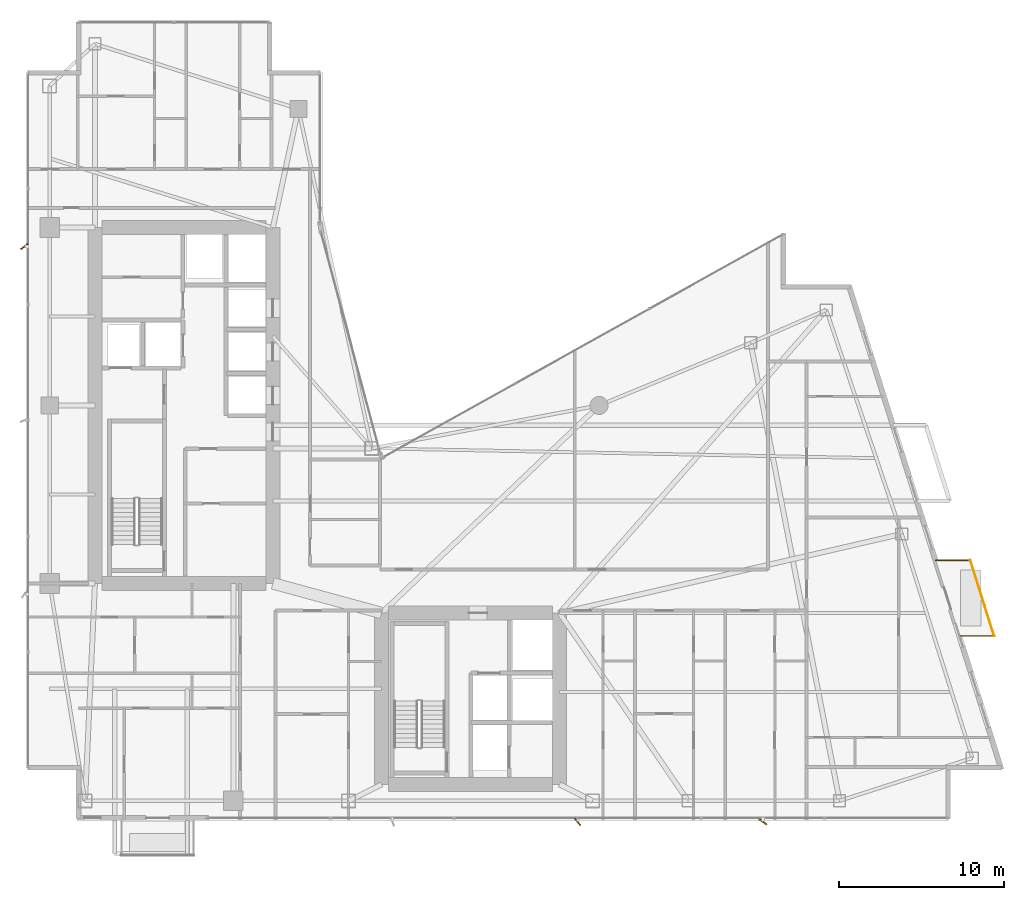
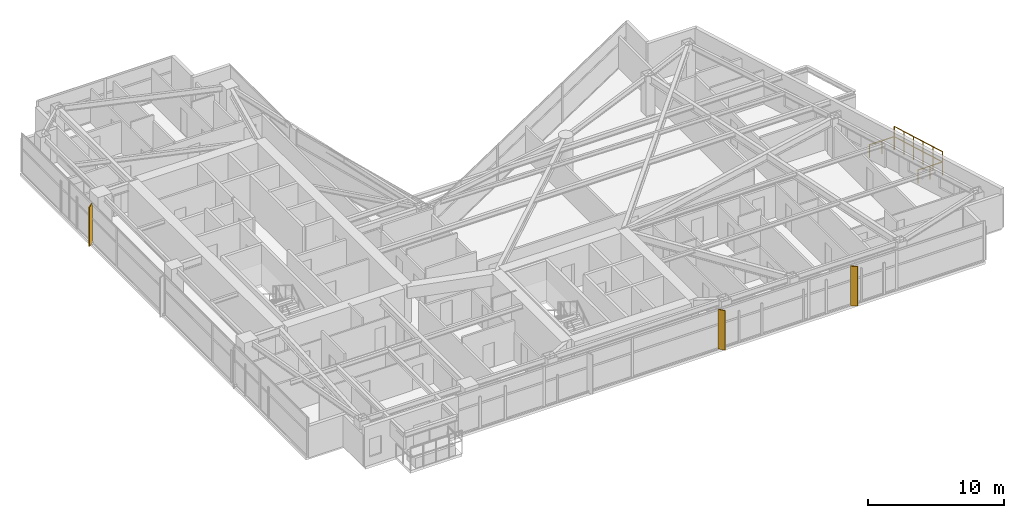
# One storey, part 28 of 28: 3 shading devices, 2 railings.
"""IFC4 building model written with IfcOpenShell, lengths in metres."""

from ifc_helpers import new_model, si_unit, direction, frame, origin, origin_2d, place, context, subcontext, project, spatial, rectangle, circle, extrude, material, type_object, element, save


model = new_model("IFC4")

# Units and contexts
model_context = context("Model", 3, precision=1e-05, world=origin(), true_north=direction((0.0, 1.0)))
body_context = subcontext(model_context, "Body", "Model", "MODEL_VIEW")
ifc_project = project(units=[si_unit("LENGTHUNIT", "METRE"), si_unit("AREAUNIT", "SQUARE_METRE"), si_unit("VOLUMEUNIT", "CUBIC_METRE"), si_unit("PLANEANGLEUNIT", "RADIAN"), si_unit("MASSUNIT", "GRAM", prefix="KILO")], contexts=[model_context])

# Site, building, storey
site_placement = place(None, origin())
site = spatial("IfcSite", under=ifc_project, at=site_placement, CompositionType="ELEMENT")
building_placement = place(site_placement, origin())
building = spatial("IfcBuilding", under=site, at=building_placement, Name="Calvorn Quay Hotel", CompositionType="ELEMENT")
storey_placement = place(building_placement, frame((0.0, 0.0, 108.800048828125)))
storey = spatial("IfcBuildingStorey", under=building, at=storey_placement, Name="L26", CompositionType="ELEMENT", Elevation=108.800048828125)

# Railings
ifc_material_1 = material(Name="Pale Anodised Aluminium and Laminated Glass", Category="aluminium")
railing_type = type_object("IfcRailingType", Name="RLG-BALUSTRADE-1200", PredefinedType="BALUSTRADE", material=ifc_material_1)
railing_1_placement = place(storey_placement, frame((56.68896484375, 13.60009765625, 0.0)))
element("IfcRailing", 1, at=railing_1_placement, inside=storey, type_object=railing_type, Name="Tree Balcony Perimeter Balustrade L26-BALC-E", PredefinedType="BALUSTRADE", context=body_context, shape_type="SweptSolid", body=[
    extrude(circle(Radius=0.02392578125, at=origin_2d()), frame((0.0, 0.0, 1.17578125), z_axis=(1.0, 0.0, 0.0), x_axis=(0.0, 1.0, 0.0)), (0.0, 0.0, 1.0), 2.10009765625),
    extrude(circle(Radius=0.02392578125, at=origin_2d()), frame((2.10009765625, 0.0, 1.17578125), z_axis=(-0.300450487966, 0.953797412599, 0.0), x_axis=(-0.953797412599, -0.300450487966, 0.0)), (0.0, 0.0, 1.0), 4.82275390625),
    extrude(circle(Radius=0.02392578125, at=origin_2d()), frame((0.651123046875, 4.599853515625, 1.17578125), z_axis=(-1.0, 0.0, 0.0), x_axis=(0.0, -1.0, 0.0)), (0.0, 0.0, 1.0), 2.10009765625),
    extrude(circle(Radius=0.02099609375, at=origin_2d()), origin(), (0.0, 0.0, 1.0), 1.15185546875),
    extrude(circle(Radius=0.02099609375, at=origin_2d()), frame((1.050048828125, 0.0, 0.0)), (0.0, 0.0, 1.0), 1.15185546875),
    extrude(circle(Radius=0.02099609375, at=origin_2d()), frame((2.10009765625, 0.0, 0.0)), (0.0, 0.0, 1.0), 1.15185546875),
    extrude(circle(Radius=0.02099609375, at=origin_2d()), frame((1.810302734375, 0.919921875, 0.0)), (0.0, 0.0, 1.0), 1.15185546875),
    extrude(circle(Radius=0.02099609375, at=origin_2d()), frame((1.5205078125, 1.83984375, 0.0)), (0.0, 0.0, 1.0), 1.15185546875),
    extrude(circle(Radius=0.02099609375, at=origin_2d()), frame((1.230712890625, 2.760009765625, 0.0)), (0.0, 0.0, 1.0), 1.15185546875),
    extrude(circle(Radius=0.02099609375, at=origin_2d()), frame((0.94091796875, 3.679931640625, 0.0)), (0.0, 0.0, 1.0), 1.15185546875),
    extrude(circle(Radius=0.02099609375, at=origin_2d()), frame((0.651123046875, 4.599853515625, 0.0)), (0.0, 0.0, 1.0), 1.15185546875),
    extrude(circle(Radius=0.02099609375, at=origin_2d()), frame((-0.39892578125, 4.599853515625, 0.0)), (0.0, 0.0, 1.0), 1.15185546875),
    extrude(circle(Radius=0.02099609375, at=origin_2d()), frame((-1.448974609375, 4.599853515625, 0.0)), (0.0, 0.0, 1.0), 1.15185546875),
])
railing_2_placement = place(storey_placement, frame((58.7890625, 13.60009765625, 0.89990234375)))
element("IfcRailing", 2, at=railing_2_placement, inside=storey, type_object=railing_type, Name="Planter Kerb High Safety Screen L26-BALC-E", PredefinedType="BALUSTRADE", context=body_context, shape_type="SweptSolid", body=[
    extrude(circle(Radius=0.02392578125, at=origin_2d()), frame((0.0, 0.0, 1.19580078125), z_axis=(-0.300450487966, 0.953797412599, 0.0), x_axis=(-0.953797412599, -0.300450487966, 0.0)), (0.0, 0.0, 1.0), 4.82275390625),
    extrude(circle(Radius=0.02099609375, at=origin_2d()), origin(), (0.0, 0.0, 1.0), 1.171875),
    extrude(circle(Radius=0.02099609375, at=origin_2d()), frame((-0.289794921875, 0.919921875, 0.0)), (0.0, 0.0, 1.0), 1.171875),
    extrude(circle(Radius=0.02099609375, at=origin_2d()), frame((-0.57958984375, 1.83984375, 0.0)), (0.0, 0.0, 1.0), 1.171875),
    extrude(circle(Radius=0.02099609375, at=origin_2d()), frame((-0.869384765625, 2.760009765625, 0.0)), (0.0, 0.0, 1.0), 1.171875),
    extrude(circle(Radius=0.02099609375, at=origin_2d()), frame((-1.1591796875, 3.679931640625, 0.0)), (0.0, 0.0, 1.0), 1.171875),
    extrude(circle(Radius=0.02099609375, at=origin_2d()), frame((-1.448974609375, 4.599853515625, 0.0)), (0.0, 0.0, 1.0), 1.171875),
])

# Shading devices
ifc_material_2 = material(Name="Champagne Bronze Anodised Aluminium 6063-T6", Category="aluminium")
shading_device_type_1 = type_object("IfcShadingDeviceType", Name="SHD-FIN-A2", PredefinedType="USERDEFINED", material=ifc_material_2)
for number, where, z_axis, x_axis, name in (
    (3, (-0.080078125, 37.25, 0.0), (0.0, 0.0, 1.0), (0.788010753607, 0.615661475326, 0.0), "Diagonal Sun-Shading Fin L26-W03"),
    (4, (33.5, 2.320068359375, 0.0), (0.0, 0.0, 1.0), (-0.615661475326, 0.788010753607, 0.0), "Diagonal Sun-Shading Fin L26-S02"),
):
    element("IfcShadingDevice", number, at=place(storey_placement, frame(where, z_axis=z_axis, x_axis=x_axis)), inside=storey, type_object=shading_device_type_1, Name=name, ObjectType="FIN", PredefinedType="USERDEFINED", context=body_context, shape_type="SweptSolid", body=[
        extrude(rectangle(XDim=0.550048828125, YDim=0.080078125, at=origin_2d()), origin(), (0.0, 0.0, 1.0), 3.56005859375),
    ])
ifc_material_3 = material(Name="Champagne Bronze Anodised Aluminium 6063-T6", Category="aluminium")
shading_device_type_2 = type_object("IfcShadingDeviceType", Name="SHD-FIN-A3", PredefinedType="USERDEFINED", material=ifc_material_3)
shading_device_placement = place(storey_placement, frame((44.75, 2.320068359375, 0.0), z_axis=(0.0, 0.0, 1.0), x_axis=(-0.809016994375, 0.587785252292, 0.0)))
element("IfcShadingDevice", 5, at=shading_device_placement, inside=storey, type_object=shading_device_type_2, Name="Diagonal Sun-Shading Fin L26-S03", ObjectType="FIN", PredefinedType="USERDEFINED", context=body_context, shape_type="SweptSolid", body=[
    extrude(rectangle(XDim=0.550048828125, YDim=0.080078125, at=origin_2d()), origin(), (0.0, 0.0, 1.0), 3.56005859375),
])

save(model, "model.ifc")
